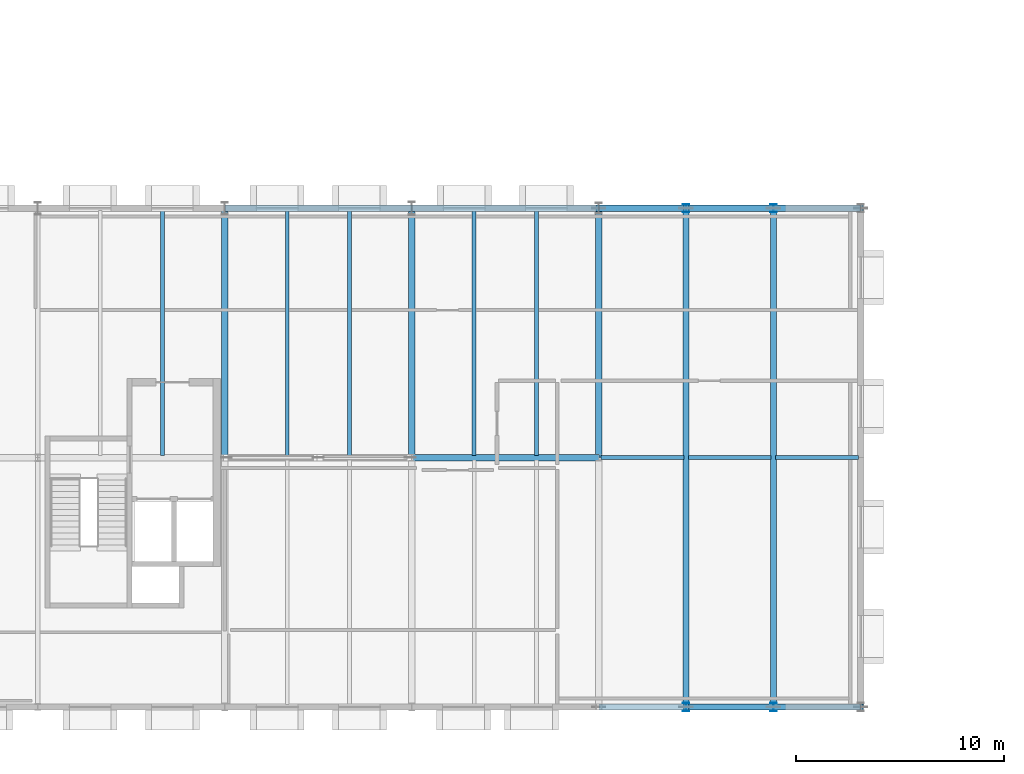
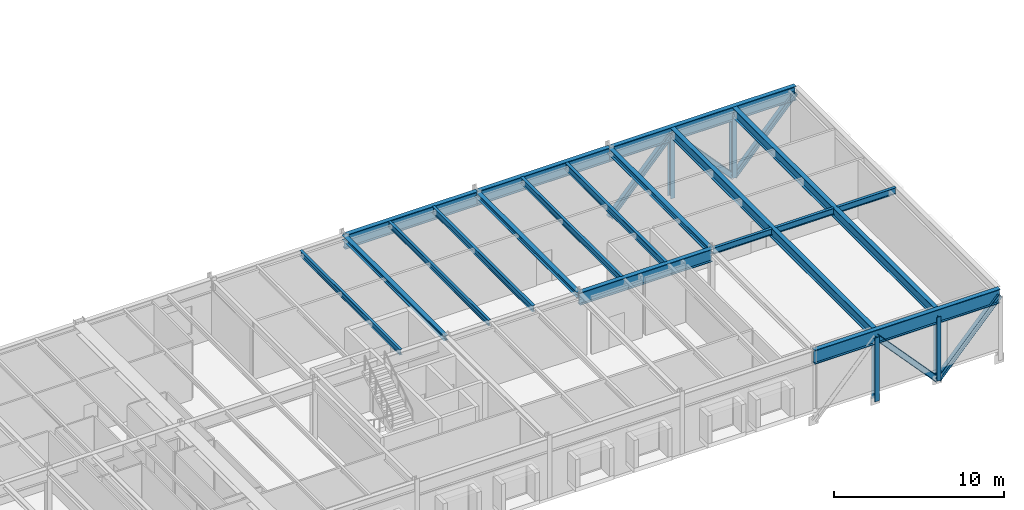
# One storey, part 19 of 67: 18 beams, 9 members.
"""IFC4 building model written with IfcOpenShell, lengths in metres."""

from ifc_helpers import new_model, si_unit, direction, frame, origin, origin_2d, place, context, subcontext, project, spatial, i_section, extrude, material, material_profile, profile_set, type_object, element, save


model = new_model("IFC4")

# Units and contexts
model_context = context("Model", 3, precision=1e-05, world=origin(), true_north=direction((0.0, 1.0)))
body_context = subcontext(model_context, "Body", "Model", "MODEL_VIEW")
ifc_project = project(units=[si_unit("LENGTHUNIT", "METRE"), si_unit("AREAUNIT", "SQUARE_METRE"), si_unit("VOLUMEUNIT", "CUBIC_METRE"), si_unit("PLANEANGLEUNIT", "RADIAN"), si_unit("MASSUNIT", "GRAM", prefix="KILO")], contexts=[model_context])

# Site, building, storey
site_placement = place(None, origin())
site = spatial("IfcSite", under=ifc_project, at=site_placement, CompositionType="ELEMENT")
building_placement = place(site_placement, origin())
building = spatial("IfcBuilding", under=site, at=building_placement, Name="Montelvaro Courts of Justice", CompositionType="ELEMENT")
storey_placement = place(building_placement, frame((0.0, 0.0, 18.89990234375)))
storey = spatial("IfcBuildingStorey", under=building, at=storey_placement, Name="L04", CompositionType="ELEMENT", Elevation=18.89990234375)

# Beams
ifc_material = material(Name="Steel S355", Category="steel")
ifc_material_profile_1 = material_profile(ifc_material, i_section(OverallWidth=0.300048828125, OverallDepth=0.35009765625, WebThickness=0.010009765625, FlangeThickness=0.017578125, at=origin_2d()), Name="HEA 360")
ifc_profile_set_1 = profile_set([ifc_material_profile_1], Name="Steel S355")
beam_type_1 = type_object("IfcBeamType", Name="Beam_HEA360", PredefinedType="USERDEFINED", material=ifc_profile_set_1)
beam_1_placement = place(storey_placement, frame((117.0, 12.0, 4.085205078125), z_axis=(0.0, 1.0, 0.0), x_axis=(-1.0, 0.0, 0.0)))
element("IfcBeam", 1, at=beam_1_placement, inside=storey, type_object=beam_type_1, Name="Beam B-16 L04", ObjectType="GIRDER", PredefinedType="USERDEFINED", context=body_context, shape_type="SweptSolid", body=[
    extrude(i_section(OverallWidth=0.300048828125, OverallDepth=0.35009765625, WebThickness=0.010009765625, FlangeThickness=0.017578125, at=origin_2d()), origin(), (0.0, 0.0, 1.0), 12.0),
])
ifc_material_profile_2 = material_profile(ifc_material, i_section(OverallWidth=0.300048828125, OverallDepth=0.389892578125, WebThickness=0.010986328125, FlangeThickness=0.01904296875, at=origin_2d()), Name="HEA 400")
ifc_profile_set_2 = profile_set([ifc_material_profile_2], Name="Steel S355")
beam_type_2 = type_object("IfcBeamType", Name="Beam_HEA400", PredefinedType="USERDEFINED", material=ifc_profile_set_2)
beam_2_placement = place(storey_placement, frame((126.0, 12.0, 4.065185546875), z_axis=(0.0, 1.0, 0.0), x_axis=(-1.0, 0.0, 0.0)))
element("IfcBeam", 2, at=beam_2_placement, inside=storey, type_object=beam_type_2, Name="Beam B-17 L04", ObjectType="GIRDER", PredefinedType="USERDEFINED", context=body_context, shape_type="SweptSolid", body=[
    extrude(i_section(OverallWidth=0.300048828125, OverallDepth=0.389892578125, WebThickness=0.010986328125, FlangeThickness=0.01904296875, at=origin_2d()), origin(), (0.0, 0.0, 1.0), 12.0),
])
ifc_material_profile_3 = material_profile(ifc_material, i_section(OverallWidth=0.300048828125, OverallDepth=0.43994140625, WebThickness=0.011474609375, FlangeThickness=0.02099609375, at=origin_2d()), Name="HEA 450")
ifc_profile_set_3 = profile_set([ifc_material_profile_3], Name="Steel S355")
beam_type_3 = type_object("IfcBeamType", Name="Beam_HEA450", PredefinedType="USERDEFINED", material=ifc_profile_set_3)
beam_3_placement = place(storey_placement, frame((135.0, 12.0, 4.0400390625), z_axis=(0.0, 1.0, 0.0), x_axis=(-1.0, 0.0, 0.0)))
element("IfcBeam", 3, at=beam_3_placement, inside=storey, type_object=beam_type_3, Name="Beam B-18 L04", ObjectType="GIRDER", PredefinedType="USERDEFINED", context=body_context, shape_type="SweptSolid", body=[
    extrude(i_section(OverallWidth=0.300048828125, OverallDepth=0.43994140625, WebThickness=0.011474609375, FlangeThickness=0.02099609375, at=origin_2d()), origin(), (0.0, 0.0, 1.0), 12.0),
])
ifc_material_profile_4 = material_profile(ifc_material, i_section(OverallWidth=0.300048828125, OverallDepth=0.699951171875, WebThickness=0.01708984375, FlangeThickness=0.031982421875, at=origin_2d()), Name="HEB 700")
ifc_profile_set_4 = profile_set([ifc_material_profile_4], Name="Steel S355")
beam_type_4 = type_object("IfcBeamType", Name="Beam_HEB700", PredefinedType="USERDEFINED", material=ifc_profile_set_4)
for number, where, z_axis, x_axis, name in (
    (4, (139.199951171875, 0.110107421875, 3.91015625), (0.0, 1.0, 0.0), (-1.0, 0.0, 0.0), "Beam B-28 L04"),
    (5, (143.39990234375, 0.110107421875, 3.91015625), (0.0, 1.0, 0.0), (-1.0, 0.0, 0.0), "Beam B-28 L04"),
):
    element("IfcBeam", number, at=place(storey_placement, frame(where, z_axis=z_axis, x_axis=x_axis)), inside=storey, type_object=beam_type_4, Name=name, ObjectType="GIRDER", PredefinedType="USERDEFINED", context=body_context, shape_type="SweptSolid", body=[
        extrude(i_section(OverallWidth=0.300048828125, OverallDepth=0.699951171875, WebThickness=0.01708984375, FlangeThickness=0.031982421875, at=origin_2d()), origin(), (0.0, 0.0, 1.0), 23.77978515625),
    ])
ifc_material_profile_5 = material_profile(ifc_material, i_section(OverallWidth=0.300048828125, OverallDepth=0.89990234375, WebThickness=0.0185546875, FlangeThickness=0.034912109375, at=origin_2d()), Name="HEB 900")
ifc_profile_set_5 = profile_set([ifc_material_profile_5], Name="Steel S355")
beam_type_5 = type_object("IfcBeamType", Name="Beam_HEB900", PredefinedType="USERDEFINED", material=ifc_profile_set_5)
beam_4_placement = place(storey_placement, frame((126.0, 12.0, 3.81005859375), z_axis=(1.0, 0.0, 0.0), x_axis=(0.0, 1.0, 0.0)))
element("IfcBeam", 6, at=beam_4_placement, inside=storey, type_object=beam_type_5, Name="Beam B-30 L04", ObjectType="GIRDER", PredefinedType="USERDEFINED", context=body_context, shape_type="SweptSolid", body=[
    extrude(i_section(OverallWidth=0.300048828125, OverallDepth=0.89990234375, WebThickness=0.0185546875, FlangeThickness=0.034912109375, at=origin_2d()), origin(), (0.0, 0.0, 1.0), 9.0),
])
ifc_material_profile_6 = material_profile(ifc_material, i_section(OverallWidth=0.302001953125, OverallDepth=1.008056640625, WebThickness=0.02099609375, FlangeThickness=0.0400390625, at=origin_2d()), Name="HEM 1000")
ifc_profile_set_6 = profile_set([ifc_material_profile_6], Name="Steel S355")
beam_type_6 = type_object("IfcBeamType", Name="Beam_HEM1000", PredefinedType="USERDEFINED", material=ifc_profile_set_6)
beam_5_placement = place(storey_placement, frame((135.0, 0.0, 3.756103515625), z_axis=(1.0, 0.0, 0.0), x_axis=(0.0, 1.0, 0.0)))
element("IfcBeam", 7, at=beam_5_placement, inside=storey, type_object=beam_type_6, Name="Pratt Cantilever Truss Chord CTR-BAR2-S-L05-OVH", ObjectType="GIRDER", PredefinedType="USERDEFINED", context=body_context, shape_type="SweptSolid", body=[
    extrude(i_section(OverallWidth=0.302001953125, OverallDepth=1.008056640625, WebThickness=0.02099609375, FlangeThickness=0.0400390625, at=origin_2d()), origin(), (0.0, 0.0, 1.0), 12.60009765625),
])
for number, where, z_axis, x_axis, name in (
    (8, (117.0, 24.0, 3.756103515625), (1.0, 0.0, 0.0), (0.0, 1.0, 0.0), "Pratt Cantilever Truss Chord CTR-BAR2-N-L05-BS2"),
    (9, (126.0, 24.0, 3.756103515625), (1.0, 0.0, 0.0), (0.0, 1.0, 0.0), "Pratt Cantilever Truss Chord CTR-BAR2-N-L05-BS3"),
):
    element("IfcBeam", number, at=place(storey_placement, frame(where, z_axis=z_axis, x_axis=x_axis)), inside=storey, type_object=beam_type_6, Name=name, ObjectType="GIRDER", PredefinedType="USERDEFINED", context=body_context, shape_type="SweptSolid", body=[
        extrude(i_section(OverallWidth=0.302001953125, OverallDepth=1.008056640625, WebThickness=0.02099609375, FlangeThickness=0.0400390625, at=origin_2d()), origin(), (0.0, 0.0, 1.0), 9.0),
    ])
beam_6_placement = place(storey_placement, frame((135.0, 24.0, 3.756103515625), z_axis=(1.0, 0.0, 0.0), x_axis=(0.0, 1.0, 0.0)))
element("IfcBeam", 10, at=beam_6_placement, inside=storey, type_object=beam_type_6, Name="Pratt Cantilever Truss Chord CTR-BAR2-N-L05-OVH", ObjectType="GIRDER", PredefinedType="USERDEFINED", context=body_context, shape_type="SweptSolid", body=[
    extrude(i_section(OverallWidth=0.302001953125, OverallDepth=1.008056640625, WebThickness=0.02099609375, FlangeThickness=0.0400390625, at=origin_2d()), origin(), (0.0, 0.0, 1.0), 12.60009765625),
])
ifc_material_profile_7 = material_profile(ifc_material, i_section(OverallWidth=0.179931640625, OverallDepth=0.39990234375, WebThickness=0.008544921875, FlangeThickness=0.013427734375, at=origin_2d()), Name="IPE 400")
ifc_profile_set_7 = profile_set([ifc_material_profile_7], Name="Steel S355")
beam_type_7 = type_object("IfcBeamType", Name="Beam_IPE400", PredefinedType="BEAM", material=ifc_profile_set_7)
for number, where, z_axis, x_axis, name in (
    (11, (114.0, 12.110107421875, 4.06005859375), (0.0, 1.0, 0.0), (-1.0, 0.0, 0.0), "Beam B-08 L04"),
    (12, (120.0, 12.110107421875, 4.06005859375), (0.0, 1.0, 0.0), (-1.0, 0.0, 0.0), "Beam B-08 L04"),
):
    element("IfcBeam", number, at=place(storey_placement, frame(where, z_axis=z_axis, x_axis=x_axis)), inside=storey, type_object=beam_type_7, Name=name, PredefinedType="BEAM", context=body_context, shape_type="SweptSolid", body=[
        extrude(i_section(OverallWidth=0.179931640625, OverallDepth=0.39990234375, WebThickness=0.008544921875, FlangeThickness=0.013427734375, at=origin_2d()), origin(), (0.0, 0.0, 1.0), 11.77978515625),
    ])
ifc_material_profile_8 = material_profile(ifc_material, i_section(OverallWidth=0.18994140625, OverallDepth=0.449951171875, WebThickness=0.009521484375, FlangeThickness=0.0146484375, at=origin_2d()), Name="IPE 450")
ifc_profile_set_8 = profile_set([ifc_material_profile_8], Name="Steel S355")
beam_type_8 = type_object("IfcBeamType", Name="Beam_IPE450", PredefinedType="BEAM", material=ifc_profile_set_8)
for number, where, z_axis, x_axis, name in (
    (13, (135.110107421875, 12.0, 4.03515625), (1.0, 0.0, 0.0), (0.0, 1.0, 0.0), "Beam B-09 L04"),
    (14, (139.31005859375, 12.0, 4.03515625), (1.0, 0.0, 0.0), (0.0, 1.0, 0.0), "Beam B-09 L04"),
    (15, (143.510009765625, 12.0, 4.03515625), (1.0, 0.0, 0.0), (0.0, 1.0, 0.0), "Beam B-09 L04"),
):
    element("IfcBeam", number, at=place(storey_placement, frame(where, z_axis=z_axis, x_axis=x_axis)), inside=storey, type_object=beam_type_8, Name=name, PredefinedType="BEAM", context=body_context, shape_type="SweptSolid", body=[
        extrude(i_section(OverallWidth=0.18994140625, OverallDepth=0.449951171875, WebThickness=0.009521484375, FlangeThickness=0.0146484375, at=origin_2d()), origin(), (0.0, 0.0, 1.0), 3.97998046875),
    ])
for number, where, z_axis, x_axis, name in (
    (16, (123.0, 12.110107421875, 4.03515625), (0.0, 1.0, 0.0), (-1.0, 0.0, 0.0), "Beam B-09 L04"),
    (17, (129.0, 12.110107421875, 4.03515625), (0.0, 1.0, 0.0), (-1.0, 0.0, 0.0), "Beam B-09 L04"),
):
    element("IfcBeam", number, at=place(storey_placement, frame(where, z_axis=z_axis, x_axis=x_axis)), inside=storey, type_object=beam_type_8, Name=name, PredefinedType="BEAM", context=body_context, shape_type="SweptSolid", body=[
        extrude(i_section(OverallWidth=0.18994140625, OverallDepth=0.449951171875, WebThickness=0.009521484375, FlangeThickness=0.0146484375, at=origin_2d()), origin(), (0.0, 0.0, 1.0), 11.77978515625),
    ])
ifc_material_profile_9 = material_profile(ifc_material, i_section(OverallWidth=0.199951171875, OverallDepth=0.5, WebThickness=0.01025390625, FlangeThickness=0.01611328125, at=origin_2d()), Name="IPE 500")
ifc_profile_set_9 = profile_set([ifc_material_profile_9], Name="Steel S355")
beam_type_9 = type_object("IfcBeamType", Name="Beam_IPE500", PredefinedType="BEAM", material=ifc_profile_set_9)
beam_7_placement = place(storey_placement, frame((132.0, 12.110107421875, 4.010009765625), z_axis=(0.0, 1.0, 0.0), x_axis=(-1.0, 0.0, 0.0)))
element("IfcBeam", 18, at=beam_7_placement, inside=storey, type_object=beam_type_9, Name="Beam B-10 L04", PredefinedType="BEAM", context=body_context, shape_type="SweptSolid", body=[
    extrude(i_section(OverallWidth=0.199951171875, OverallDepth=0.5, WebThickness=0.01025390625, FlangeThickness=0.01611328125, at=origin_2d()), origin(), (0.0, 0.0, 1.0), 11.77978515625),
])

# Members
ifc_material_profile_10 = material_profile(ifc_material, i_section(OverallWidth=0.300048828125, OverallDepth=0.360107421875, WebThickness=0.012451171875, FlangeThickness=0.0224609375, at=origin_2d()), Name="HEB 360")
ifc_profile_set_10 = profile_set([ifc_material_profile_10], Name="Steel S355")
member_type_1 = type_object("IfcMemberType", Name="Mem_HEB360_Brace", PredefinedType="BRACE", material=ifc_profile_set_10)
for number, where, z_axis, x_axis, name in (
    (19, (139.199951171875, 0.0, 3.756103515625), (0.675859824845, 0.0, -0.737030187415), (0.0, 1.0, 0.0), "Pratt Cantilever Truss Diagonal MB-01 CTR-BAR2-S-L04-D5"),
    (20, (143.39990234375, 0.0, -0.823974609375), (0.675881165399, 0.0, 0.737010617466), (0.0, 1.0, 0.0), "Pratt Cantilever Truss Diagonal MB-01 CTR-BAR2-S-L04-D6"),
    (21, (135.0, 24.0, -0.823974609375), (0.675859824845, 0.0, 0.737030187415), (0.0, 1.0, 0.0), "Pratt Cantilever Truss Diagonal MB-01 CTR-BAR2-N-L04-D4"),
    (22, (139.199951171875, 24.0, 3.756103515625), (0.675859824845, 0.0, -0.737030187415), (0.0, 1.0, 0.0), "Pratt Cantilever Truss Diagonal MB-01 CTR-BAR2-N-L04-D5"),
    (23, (143.39990234375, 24.0, -0.823974609375), (0.675881165399, 0.0, 0.737010617466), (0.0, 1.0, 0.0), "Pratt Cantilever Truss Diagonal MB-01 CTR-BAR2-N-L04-D6"),
):
    element("IfcMember", number, at=place(storey_placement, frame(where, z_axis=z_axis, x_axis=x_axis)), inside=storey, type_object=member_type_1, Name=name, PredefinedType="BRACE", context=body_context, shape_type="SweptSolid", body=[
        extrude(i_section(OverallWidth=0.300048828125, OverallDepth=0.360107421875, WebThickness=0.012451171875, FlangeThickness=0.0224609375, at=origin_2d()), origin(), (0.0, 0.0, 1.0), 6.21435546875),
    ])
ifc_material_profile_11 = material_profile(ifc_material, i_section(OverallWidth=0.300048828125, OverallDepth=0.39990234375, WebThickness=0.013427734375, FlangeThickness=0.02392578125, at=origin_2d()), Name="HEB 400")
ifc_profile_set_11 = profile_set([ifc_material_profile_11], Name="Steel S355")
member_type_2 = type_object("IfcMemberType", Name="Mem_HEB400_Post", PredefinedType="POST", material=ifc_profile_set_11)
for number, where, z_axis, x_axis, name in (
    (24, (139.199951171875, 0.0, -0.823974609375), (0.0, 0.0, 1.0), (1.0, 0.0, 0.0), "Pratt Cantilever Truss Post MP-01 CTR-BAR2-S-L04-1"),
    (25, (143.39990234375, 0.0, -0.823974609375), (0.0, 0.0, 1.0), (1.0, 0.0, 0.0), "Pratt Cantilever Truss Post MP-01 CTR-BAR2-S-L04-2"),
    (26, (139.199951171875, 24.0, -0.823974609375), (0.0, 0.0, 1.0), (1.0, 0.0, 0.0), "Pratt Cantilever Truss Post MP-01 CTR-BAR2-N-L04-1"),
    (27, (143.39990234375, 24.0, -0.823974609375), (0.0, 0.0, 1.0), (1.0, 0.0, 0.0), "Pratt Cantilever Truss Post MP-01 CTR-BAR2-N-L04-2"),
):
    element("IfcMember", number, at=place(storey_placement, frame(where, z_axis=z_axis, x_axis=x_axis)), inside=storey, type_object=member_type_2, Name=name, PredefinedType="POST", context=body_context, shape_type="SweptSolid", body=[
        extrude(i_section(OverallWidth=0.300048828125, OverallDepth=0.39990234375, WebThickness=0.013427734375, FlangeThickness=0.02392578125, at=origin_2d()), origin(), (0.0, 0.0, 1.0), 4.580078125),
    ])

save(model, "model.ifc")
